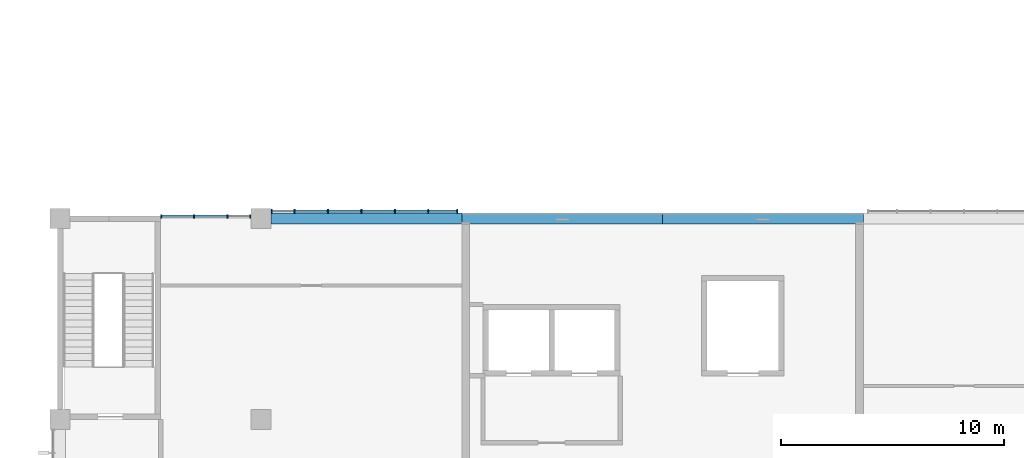
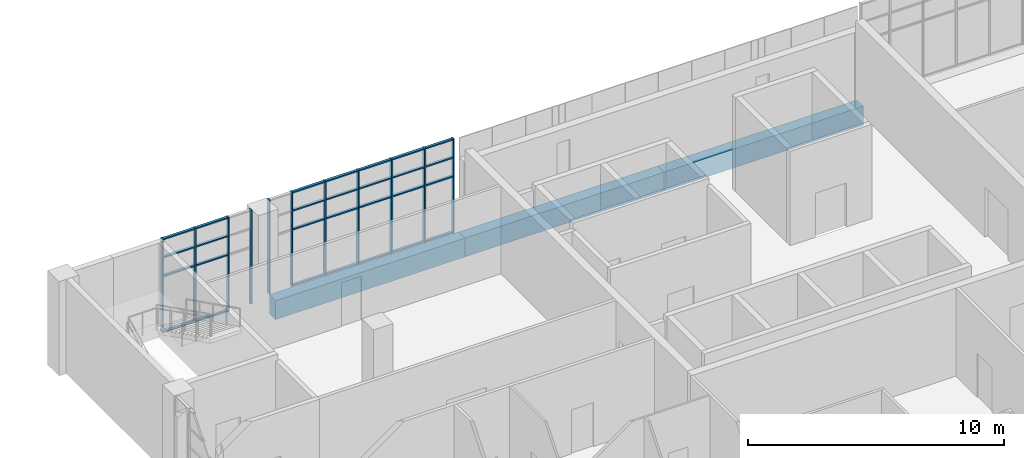
# One storey, part 12 of 45: 39 members, 3 beams, 2 elements without a shape of their own.
"""IFC4 building model written with IfcOpenShell, lengths in metres."""

import ifcopenshell
import ifcopenshell.guid

model = None  # the IFC model being written
_history = None  # IfcOwnerHistory: only IFC2X3 demands one
_inside = {}  # id of a spatial element -> (the spatial element, [elements in it])
_under = {}  # id of a project, library or spatial element -> (it, [spatial elements below it])
_declared = {}  # id of a project -> (the project, [libraries it declares])
_typed = {}  # id of a type object -> (the type object, [elements of that type])
_made_of = {}  # id of a material, layer set ... -> (it, [elements and type objects made of it])


def new_model(schema):
    """Start an empty IFC model of exactly this schema.

    Asked for "IFC4X3", IfcOpenShell would pick the latest addendum, in which some entities
    have other attributes; the version numbers below select the first issue.
    IFC2X3 requires an IfcOwnerHistory on every rooted entity: one is made here for all.
    """
    global model, _history
    if schema == "IFC4X3":
        model = ifcopenshell.file(schema_version=(4, 3, 0, 0))
    else:
        model = ifcopenshell.file(schema=schema)
    _inside.clear()
    _under.clear()
    _declared.clear()
    _typed.clear()
    _made_of.clear()
    _history = None
    if model.schema == "IFC2X3":
        org = make("IfcOrganization", Name="unknown")
        user = make(
            "IfcPersonAndOrganization",
            ThePerson=make("IfcPerson", FamilyName="unknown"),
            TheOrganization=org,
        )
        app = make(
            "IfcApplication",
            ApplicationDeveloper=org,
            Version="unknown",
            ApplicationFullName="unknown",
            ApplicationIdentifier="unknown",
        )
        _history = make(
            "IfcOwnerHistory",
            OwningUser=user,
            OwningApplication=app,
            ChangeAction="ADDED",
            CreationDate=0,
        )
    return model


def make(cls, **values):
    """One entity of the class cls with the attributes given. An attribute that is None is left unset."""
    return model.create_entity(
        cls, **{name: value for name, value in values.items() if value is not None}
    )


def rooted(cls, **values):
    """An entity with a GlobalId (a new one), such as an element, a storey or a relation."""
    return make(cls, GlobalId=ifcopenshell.guid.new(), OwnerHistory=_history, **values)


def si_unit(unit_type, name, prefix=None):
    """IfcSIUnit, for example si_unit("LENGTHUNIT", "METRE", prefix="MILLI")."""
    return make("IfcSIUnit", UnitType=unit_type, Prefix=prefix, Name=name)


def assignment(units):
    """IfcUnitAssignment: the units of a project."""
    return None if units is None else make("IfcUnitAssignment", Units=units)


def point(xyz):
    """IfcCartesianPoint."""
    return None if xyz is None else make("IfcCartesianPoint", Coordinates=xyz)


def direction(xyz):
    """IfcDirection."""
    return None if xyz is None else make("IfcDirection", DirectionRatios=xyz)


def frame(location, z_axis=None, x_axis=None):
    """IfcAxis2Placement3D, a coordinate frame: its origin and axes. An axis left out is left unset."""
    return make(
        "IfcAxis2Placement3D",
        Location=point(location),
        Axis=direction(z_axis),
        RefDirection=direction(x_axis),
    )


def frame_2d(location, x_axis=None):
    """IfcAxis2Placement2D, a coordinate frame in the plane: its origin and x axis."""
    return make(
        "IfcAxis2Placement2D", Location=point(location), RefDirection=direction(x_axis)
    )


def origin():
    """The frame at (0, 0, 0) with its axes left unset."""
    return frame((0.0, 0.0, 0.0))


def origin_2d():
    """The frame at (0, 0) in the plane with its x axis left unset."""
    return frame_2d((0.0, 0.0))


def place(relative_to, where):
    """IfcLocalPlacement: puts the frame where relative to a parent placement (None: the world)."""
    return make(
        "IfcLocalPlacement", PlacementRelTo=relative_to, RelativePlacement=where
    )


def context(
    kind, dimensions, precision=None, world=None, true_north=None, identifier=None
):
    """IfcGeometricRepresentationContext, for example the 3D "Model" context."""
    return make(
        "IfcGeometricRepresentationContext",
        ContextIdentifier=identifier,
        ContextType=kind,
        CoordinateSpaceDimension=dimensions,
        Precision=precision,
        WorldCoordinateSystem=world,
        TrueNorth=true_north,
    )


def subcontext(parent, identifier, kind, view, scale=None):
    """IfcGeometricRepresentationSubContext, for example "Body" below "Model"."""
    return make(
        "IfcGeometricRepresentationSubContext",
        ContextIdentifier=identifier,
        ContextType=kind,
        ParentContext=parent,
        TargetScale=scale,
        TargetView=view,
    )


def project(units=None, contexts=None):
    """IfcProject with its units and contexts."""
    return rooted(
        "IfcProject",
        Name="project",
        RepresentationContexts=contexts,
        UnitsInContext=assignment(units),
    )


def spatial(cls, under=None, at=None, **own):
    """A site, building, storey or space (cls), placed at a placement, below another one or the project."""
    s = rooted(cls, ObjectPlacement=at, **own)
    if under is not None:
        _under.setdefault(under.id(), (under, []))[1].append(s)
    return s


def profile(cls, at=None, kind="AREA", **sizes):
    """A parametric profile (cls). Its sizes go by their IFC names, for example OverallWidth=200.0."""
    return make(cls, ProfileType=kind, Position=at, **sizes)


def rectangle(**sizes):
    """IfcRectangleProfileDef."""
    return profile("IfcRectangleProfileDef", **sizes)


def extrude(swept, where, along, depth):
    """IfcExtrudedAreaSolid: the profile swept, set in the frame where, extruded along a direction by depth."""
    return make(
        "IfcExtrudedAreaSolid",
        SweptArea=swept,
        Position=where,
        ExtrudedDirection=direction(along),
        Depth=depth,
    )


def shape(context_of_items, identifier, shape_type, items):
    """IfcShapeRepresentation: the items that make up one representation, for example the "Body"."""
    return make(
        "IfcShapeRepresentation",
        ContextOfItems=context_of_items,
        RepresentationIdentifier=identifier,
        RepresentationType=shape_type,
        Items=items,
    )


def material(Name=None, Category=None):
    """IfcMaterial."""
    return make("IfcMaterial", Name=Name, Category=Category)


def layer(
    of_material, thickness, ventilated=None, Name=None, Category=None, Priority=None
):
    """IfcMaterialLayer: one layer of a wall or slab, of a material (None: an air gap)."""
    return make(
        "IfcMaterialLayer",
        Material=of_material,
        LayerThickness=thickness,
        IsVentilated=ventilated,
        Name=Name,
        Category=Category,
        Priority=Priority,
    )


def layer_set(layers, Name=None):
    """IfcMaterialLayerSet."""
    return make("IfcMaterialLayerSet", MaterialLayers=layers, LayerSetName=Name)


def material_profile(
    of_material, cross_section, Name=None, Category=None, Priority=None
):
    """IfcMaterialProfile: a cross section and its material."""
    return make(
        "IfcMaterialProfile",
        Name=Name,
        Material=of_material,
        Profile=cross_section,
        Priority=Priority,
        Category=Category,
    )


def profile_set(profiles, Name=None, composite=None):
    """IfcMaterialProfileSet."""
    return make(
        "IfcMaterialProfileSet",
        Name=Name,
        MaterialProfiles=profiles,
        CompositeProfile=composite,
    )


def made_of(thing, what):
    """Note that an element or type object is made of a material, layer set ...; save() writes the relation."""
    if what is not None:
        _made_of.setdefault(what.id(), (what, []))[1].append(thing)
    return thing


def type_object(cls, material=None, **own):
    """A type object (cls), such as IfcWallType, which elements share."""
    return made_of(rooted(cls, **own), material)


def element(
    cls,
    number,
    at=None,
    inside=None,
    cuts=None,
    type_object=None,
    material=None,
    context=None,
    identifier="Body",
    shape_type=None,
    held_by="IfcProductDefinitionShape",
    body=None,
    shapes=None,
    **own,
):
    """One element of the class cls, such as IfcWall. Its Tag is "e" and its number.

    at: its placement. inside: the storey or other place that contains it. cuts: it is an
    opening in that element (IfcRelVoidsElement). A single representation is given by context,
    identifier, shape_type and body (its items); several are given by shapes. held_by: the class
    of the entity that holds the representations. save() writes the other relations.
    """
    e = rooted(cls, Tag="e%d" % number, ObjectPlacement=at, **own)
    if body is not None:
        shapes = [shape(context, identifier, shape_type, body)]
    if shapes is not None:
        e.Representation = make(held_by, Representations=shapes)
    if inside is not None:
        _inside.setdefault(inside.id(), (inside, []))[1].append(e)
    if cuts is not None:
        rooted(
            "IfcRelVoidsElement", RelatingBuildingElement=cuts, RelatedOpeningElement=e
        )
    if type_object is not None:
        _typed.setdefault(type_object.id(), (type_object, []))[1].append(e)
    return made_of(e, material)


def aggregate(whole, parts):
    """IfcRelAggregates: a whole, such as a stair, and the parts it consists of."""
    return rooted("IfcRelAggregates", RelatingObject=whole, RelatedObjects=parts)


def save(model, path):
    """Write the relations noted so far, then the file.

    IfcRelAggregates (storeys below a building ...), IfcRelContainedInSpatialStructure (elements
    in a storey), IfcRelDefinesByType, IfcRelAssociatesMaterial and IfcRelDeclares: one each for
    every whole, place, type object, material and project.
    """
    for whole, parts in _under.values():
        aggregate(whole, parts)
    for where, things in _inside.values():
        rooted(
            "IfcRelContainedInSpatialStructure",
            RelatedElements=things,
            RelatingStructure=where,
        )
    for kind, things in _typed.values():
        rooted("IfcRelDefinesByType", RelatedObjects=things, RelatingType=kind)
    for what, things in _made_of.values():
        rooted("IfcRelAssociatesMaterial", RelatedObjects=things, RelatingMaterial=what)
    for by, libraries in _declared.values():
        rooted("IfcRelDeclares", RelatingContext=by, RelatedDefinitions=libraries)
    model.write(path)


model = new_model("IFC4")

# Units and contexts
model_context = context("Model", 3, precision=1e-05, world=origin(), true_north=direction((0.0, 1.0)))
body_context = subcontext(model_context, "Body", "Model", "MODEL_VIEW")
ifc_project = project(units=[si_unit("LENGTHUNIT", "METRE"), si_unit("AREAUNIT", "SQUARE_METRE"), si_unit("VOLUMEUNIT", "CUBIC_METRE"), si_unit("PLANEANGLEUNIT", "RADIAN"), si_unit("MASSUNIT", "GRAM", prefix="KILO")], contexts=[model_context])

# Site, building, storey
site_placement = place(None, origin())
site = spatial("IfcSite", under=ifc_project, at=site_placement, CompositionType="ELEMENT")
building_placement = place(site_placement, origin())
building = spatial("IfcBuilding", under=site, at=building_placement, Name="Guidao Yard Department Store", CompositionType="ELEMENT")
storey_placement = place(building_placement, frame((0.0, 0.0, 19.5)))
storey = spatial("IfcBuildingStorey", under=building, at=storey_placement, Name="L04", CompositionType="ELEMENT", Elevation=19.5)

# Curtain wall, members
ifc_material_1 = material(Name="Aluminium and glass", Category="aluminium")
ifc_layer = layer(ifc_material_1, 0.159912109375)
ifc_layer_set = layer_set([ifc_layer], Name="Unitised curtain wall CW4 1500 module")
curtain_wall_type = type_object("IfcCurtainWallType", Name="Unitised curtain wall CW4 1500 module", PredefinedType="NOTDEFINED", material=ifc_layer_set)
curtain_wall_1_placement = place(storey_placement, origin())
curtain_wall_1 = element("IfcCurtainWall", 1, at=curtain_wall_1_placement, inside=storey, type_object=curtain_wall_type, Name="Unitised curtain wall", PredefinedType="NOTDEFINED")
ifc_material_2 = material(Name="Aluminium 6063-T5", Category="aluminium")
ifc_material_profile_1 = material_profile(ifc_material_2, rectangle(XDim=0.06005859375, YDim=0.159912109375, at=origin_2d()), Name="Mullion M1 60 x 160 aluminium pressure plate")
ifc_profile_set_1 = profile_set([ifc_material_profile_1], Name="Aluminium 6063-T5")
member_type_1 = type_object("IfcMemberType", Name="Mullion M1 60 x 160 aluminium pressure plate", PredefinedType="MULLION", material=ifc_profile_set_1)
member_1_placement = place(storey_placement, frame((130.530029296875, 27.10009765625, 0.0), z_axis=(0.0, 0.0, 1.0), x_axis=(1.0, 0.0, 0.0)))
member_1 = element("IfcMember", 2, at=member_1_placement, type_object=member_type_1, Name="CW-OW-L04-06 mullion 1", PredefinedType="MULLION", context=body_context, shape_type="SweptSolid", body=[
    extrude(rectangle(XDim=0.06005859375, YDim=0.159912109375, at=origin_2d()), origin(), (0.0, 0.0, 1.0), 4.5),
])
member_2_placement = place(storey_placement, frame((132.0, 27.10009765625, 0.0), z_axis=(0.0, 0.0, 1.0), x_axis=(1.0, 0.0, 0.0)))
member_2 = element("IfcMember", 3, at=member_2_placement, type_object=member_type_1, Name="CW-OW-L04-06 mullion 2", PredefinedType="MULLION", context=body_context, shape_type="SweptSolid", body=[
    extrude(rectangle(XDim=0.06005859375, YDim=0.159912109375, at=origin_2d()), origin(), (0.0, 0.0, 1.0), 4.5),
])
member_3_placement = place(storey_placement, frame((133.5, 27.10009765625, 0.0), z_axis=(0.0, 0.0, 1.0), x_axis=(1.0, 0.0, 0.0)))
member_3 = element("IfcMember", 4, at=member_3_placement, type_object=member_type_1, Name="CW-OW-L04-06 mullion 3", PredefinedType="MULLION", context=body_context, shape_type="SweptSolid", body=[
    extrude(rectangle(XDim=0.06005859375, YDim=0.159912109375, at=origin_2d()), origin(), (0.0, 0.0, 1.0), 4.5),
])
member_4_placement = place(storey_placement, frame((134.52001953125, 27.10009765625, 0.0), z_axis=(0.0, 0.0, 1.0), x_axis=(1.0, 0.0, 0.0)))
member_4 = element("IfcMember", 5, at=member_4_placement, type_object=member_type_1, Name="CW-OW-L04-06 mullion 4", PredefinedType="MULLION", context=body_context, shape_type="SweptSolid", body=[
    extrude(rectangle(XDim=0.06005859375, YDim=0.159912109375, at=origin_2d()), origin(), (0.0, 0.0, 1.0), 4.5),
])

curtain_wall_2_placement = place(storey_placement, origin())
curtain_wall_2 = element("IfcCurtainWall", 6, at=curtain_wall_2_placement, inside=storey, type_object=curtain_wall_type, Name="Unitised curtain wall", PredefinedType="NOTDEFINED")
member_5_placement = place(storey_placement, frame((135.47998046875, 27.330078125, 0.0), z_axis=(0.0, 0.0, 1.0), x_axis=(1.0, 0.0, 0.0)))
member_5 = element("IfcMember", 7, at=member_5_placement, type_object=member_type_1, Name="CW-OW-L04-07 mullion 1", PredefinedType="MULLION", context=body_context, shape_type="SweptSolid", body=[
    extrude(rectangle(XDim=0.06005859375, YDim=0.159912109375, at=origin_2d()), origin(), (0.0, 0.0, 1.0), 4.5),
])
member_6_placement = place(storey_placement, frame((136.5, 27.330078125, 0.0), z_axis=(0.0, 0.0, 1.0), x_axis=(1.0, 0.0, 0.0)))
member_6 = element("IfcMember", 8, at=member_6_placement, type_object=member_type_1, Name="CW-OW-L04-07 mullion 2", PredefinedType="MULLION", context=body_context, shape_type="SweptSolid", body=[
    extrude(rectangle(XDim=0.06005859375, YDim=0.159912109375, at=origin_2d()), origin(), (0.0, 0.0, 1.0), 4.5),
])
member_7_placement = place(storey_placement, frame((138.0, 27.330078125, 0.0), z_axis=(0.0, 0.0, 1.0), x_axis=(1.0, 0.0, 0.0)))
member_7 = element("IfcMember", 9, at=member_7_placement, type_object=member_type_1, Name="CW-OW-L04-07 mullion 3", PredefinedType="MULLION", context=body_context, shape_type="SweptSolid", body=[
    extrude(rectangle(XDim=0.06005859375, YDim=0.159912109375, at=origin_2d()), origin(), (0.0, 0.0, 1.0), 4.5),
])
member_8_placement = place(storey_placement, frame((139.5, 27.330078125, 0.0), z_axis=(0.0, 0.0, 1.0), x_axis=(1.0, 0.0, 0.0)))
member_8 = element("IfcMember", 10, at=member_8_placement, type_object=member_type_1, Name="CW-OW-L04-07 mullion 4", PredefinedType="MULLION", context=body_context, shape_type="SweptSolid", body=[
    extrude(rectangle(XDim=0.06005859375, YDim=0.159912109375, at=origin_2d()), origin(), (0.0, 0.0, 1.0), 4.5),
])
member_9_placement = place(storey_placement, frame((141.0, 27.330078125, 0.0), z_axis=(0.0, 0.0, 1.0), x_axis=(1.0, 0.0, 0.0)))
member_9 = element("IfcMember", 11, at=member_9_placement, type_object=member_type_1, Name="CW-OW-L04-07 mullion 5", PredefinedType="MULLION", context=body_context, shape_type="SweptSolid", body=[
    extrude(rectangle(XDim=0.06005859375, YDim=0.159912109375, at=origin_2d()), origin(), (0.0, 0.0, 1.0), 4.5),
])
member_10_placement = place(storey_placement, frame((142.5, 27.330078125, 0.0), z_axis=(0.0, 0.0, 1.0), x_axis=(1.0, 0.0, 0.0)))
member_10 = element("IfcMember", 12, at=member_10_placement, type_object=member_type_1, Name="CW-OW-L04-07 mullion 6", PredefinedType="MULLION", context=body_context, shape_type="SweptSolid", body=[
    extrude(rectangle(XDim=0.06005859375, YDim=0.159912109375, at=origin_2d()), origin(), (0.0, 0.0, 1.0), 4.5),
])
member_11_placement = place(storey_placement, frame((143.794921875, 27.330078125, 0.0), z_axis=(0.0, 0.0, 1.0), x_axis=(1.0, 0.0, 0.0)))
member_11 = element("IfcMember", 13, at=member_11_placement, type_object=member_type_1, Name="CW-OW-L04-07 mullion 7", PredefinedType="MULLION", context=body_context, shape_type="SweptSolid", body=[
    extrude(rectangle(XDim=0.06005859375, YDim=0.159912109375, at=origin_2d()), origin(), (0.0, 0.0, 1.0), 4.5),
])

# Beams
ifc_material_3 = material(Name="Concrete C40", Category="concrete")
ifc_material_profile_2 = material_profile(ifc_material_3, rectangle(XDim=0.5, YDim=0.89990234375, at=origin_2d()), Name="Spandrel beam 500 x 900 C40")
ifc_profile_set_2 = profile_set([ifc_material_profile_2], Name="Concrete C40")
beam_type = type_object("IfcBeamType", Name="Spandrel beam 500 x 900 C40", PredefinedType="SPANDREL", material=ifc_profile_set_2)
beam_placement = place(storey_placement, frame((135.449951171875, 27.0, -0.449951171875), z_axis=(1.0, 0.0, 0.0), x_axis=(0.0, 1.0, 0.0)))
element("IfcBeam", 14, at=beam_placement, inside=storey, type_object=beam_type, Name="Beam FB05", PredefinedType="SPANDREL", context=body_context, shape_type="SweptSolid", body=[
    extrude(rectangle(XDim=0.5, YDim=0.89990234375, at=origin_2d()), origin(), (0.0, 0.0, 1.0), 8.550048828125),
])
for number, where, z_axis, x_axis, name in (
    (15, (144.0, 27.0, -0.449951171875), (1.0, 0.0, 0.0), (0.0, 1.0, 0.0), "Beam FB06"),
    (16, (153.0, 27.0, -0.449951171875), (1.0, 0.0, 0.0), (0.0, 1.0, 0.0), "Beam FB07"),
):
    element("IfcBeam", number, at=place(storey_placement, frame(where, z_axis=z_axis, x_axis=x_axis)), inside=storey, type_object=beam_type, Name=name, PredefinedType="SPANDREL", context=body_context, shape_type="SweptSolid", body=[
        extrude(rectangle(XDim=0.5, YDim=0.89990234375, at=origin_2d()), origin(), (0.0, 0.0, 1.0), 9.0),
    ])

# Member
ifc_material_4 = material(Name="Aluminium 6063-T5", Category="aluminium")
ifc_material_profile_3 = material_profile(ifc_material_4, rectangle(XDim=0.1201171875, YDim=0.06005859375, at=origin_2d()), Name="Transom T1 60 x 120 aluminium pressure plate")
ifc_profile_set_3 = profile_set([ifc_material_profile_3], Name="Aluminium 6063-T5")
member_type_2 = type_object("IfcMemberType", Name="Transom T1 60 x 120 aluminium pressure plate", PredefinedType="USERDEFINED", material=ifc_profile_set_3)
member_12_placement = place(storey_placement, frame((130.56005859375, 27.10009765625, 0.030029296875), z_axis=(1.0, 0.0, 0.0), x_axis=(0.0, 1.0, 0.0)))
member_12 = element("IfcMember", 17, at=member_12_placement, type_object=member_type_2, Name="CW-OW-L04-06 transom 1.1", ObjectType="TRANSOM", PredefinedType="USERDEFINED", context=body_context, shape_type="SweptSolid", body=[
    extrude(rectangle(XDim=0.1201171875, YDim=0.06005859375, at=origin_2d()), origin(), (0.0, 0.0, 1.0), 1.409912109375),
])

member_13_placement = place(storey_placement, frame((130.56005859375, 27.10009765625, 2.699951171875), z_axis=(1.0, 0.0, 0.0), x_axis=(0.0, 1.0, 0.0)))
member_13 = element("IfcMember", 18, at=member_13_placement, type_object=member_type_2, Name="CW-OW-L04-06 transom 1.2", ObjectType="TRANSOM", PredefinedType="USERDEFINED", context=body_context, shape_type="SweptSolid", body=[
    extrude(rectangle(XDim=0.1201171875, YDim=0.06005859375, at=origin_2d()), origin(), (0.0, 0.0, 1.0), 1.409912109375),
])

member_14_placement = place(storey_placement, frame((130.56005859375, 27.10009765625, 3.60009765625), z_axis=(1.0, 0.0, 0.0), x_axis=(0.0, 1.0, 0.0)))
member_14 = element("IfcMember", 19, at=member_14_placement, type_object=member_type_2, Name="CW-OW-L04-06 transom 1.3", ObjectType="TRANSOM", PredefinedType="USERDEFINED", context=body_context, shape_type="SweptSolid", body=[
    extrude(rectangle(XDim=0.1201171875, YDim=0.06005859375, at=origin_2d()), origin(), (0.0, 0.0, 1.0), 1.409912109375),
])

member_15_placement = place(storey_placement, frame((130.56005859375, 27.10009765625, 4.469970703125), z_axis=(1.0, 0.0, 0.0), x_axis=(0.0, 1.0, 0.0)))
member_15 = element("IfcMember", 20, at=member_15_placement, type_object=member_type_2, Name="CW-OW-L04-06 transom 1.4", ObjectType="TRANSOM", PredefinedType="USERDEFINED", context=body_context, shape_type="SweptSolid", body=[
    extrude(rectangle(XDim=0.1201171875, YDim=0.06005859375, at=origin_2d()), origin(), (0.0, 0.0, 1.0), 1.409912109375),
])

member_16_placement = place(storey_placement, frame((132.030029296875, 27.10009765625, 0.030029296875), z_axis=(1.0, 0.0, 0.0), x_axis=(0.0, 1.0, 0.0)))
member_16 = element("IfcMember", 21, at=member_16_placement, type_object=member_type_2, Name="CW-OW-L04-06 transom 2.1", ObjectType="TRANSOM", PredefinedType="USERDEFINED", context=body_context, shape_type="SweptSolid", body=[
    extrude(rectangle(XDim=0.1201171875, YDim=0.06005859375, at=origin_2d()), origin(), (0.0, 0.0, 1.0), 1.43994140625),
])

member_17_placement = place(storey_placement, frame((132.030029296875, 27.10009765625, 2.699951171875), z_axis=(1.0, 0.0, 0.0), x_axis=(0.0, 1.0, 0.0)))
member_17 = element("IfcMember", 22, at=member_17_placement, type_object=member_type_2, Name="CW-OW-L04-06 transom 2.2", ObjectType="TRANSOM", PredefinedType="USERDEFINED", context=body_context, shape_type="SweptSolid", body=[
    extrude(rectangle(XDim=0.1201171875, YDim=0.06005859375, at=origin_2d()), origin(), (0.0, 0.0, 1.0), 1.43994140625),
])

member_18_placement = place(storey_placement, frame((132.030029296875, 27.10009765625, 3.60009765625), z_axis=(1.0, 0.0, 0.0), x_axis=(0.0, 1.0, 0.0)))
member_18 = element("IfcMember", 23, at=member_18_placement, type_object=member_type_2, Name="CW-OW-L04-06 transom 2.3", ObjectType="TRANSOM", PredefinedType="USERDEFINED", context=body_context, shape_type="SweptSolid", body=[
    extrude(rectangle(XDim=0.1201171875, YDim=0.06005859375, at=origin_2d()), origin(), (0.0, 0.0, 1.0), 1.43994140625),
])

member_19_placement = place(storey_placement, frame((132.030029296875, 27.10009765625, 4.469970703125), z_axis=(1.0, 0.0, 0.0), x_axis=(0.0, 1.0, 0.0)))
member_19 = element("IfcMember", 24, at=member_19_placement, type_object=member_type_2, Name="CW-OW-L04-06 transom 2.4", ObjectType="TRANSOM", PredefinedType="USERDEFINED", context=body_context, shape_type="SweptSolid", body=[
    extrude(rectangle(XDim=0.1201171875, YDim=0.06005859375, at=origin_2d()), origin(), (0.0, 0.0, 1.0), 1.43994140625),
])

aggregate(curtain_wall_1, [member_1, member_2, member_3, member_4, member_12, member_13, member_14, member_15, member_16, member_17, member_18, member_19])

member_20_placement = place(storey_placement, frame((136.530029296875, 27.330078125, 0.030029296875), z_axis=(1.0, 0.0, 0.0), x_axis=(0.0, 1.0, 0.0)))
member_20 = element("IfcMember", 25, at=member_20_placement, type_object=member_type_2, Name="CW-OW-L04-07 transom 2.1", ObjectType="TRANSOM", PredefinedType="USERDEFINED", context=body_context, shape_type="SweptSolid", body=[
    extrude(rectangle(XDim=0.1201171875, YDim=0.06005859375, at=origin_2d()), origin(), (0.0, 0.0, 1.0), 1.43994140625),
])

member_21_placement = place(storey_placement, frame((136.530029296875, 27.330078125, 2.699951171875), z_axis=(1.0, 0.0, 0.0), x_axis=(0.0, 1.0, 0.0)))
member_21 = element("IfcMember", 26, at=member_21_placement, type_object=member_type_2, Name="CW-OW-L04-07 transom 2.2", ObjectType="TRANSOM", PredefinedType="USERDEFINED", context=body_context, shape_type="SweptSolid", body=[
    extrude(rectangle(XDim=0.1201171875, YDim=0.06005859375, at=origin_2d()), origin(), (0.0, 0.0, 1.0), 1.43994140625),
])

member_22_placement = place(storey_placement, frame((136.530029296875, 27.330078125, 3.60009765625), z_axis=(1.0, 0.0, 0.0), x_axis=(0.0, 1.0, 0.0)))
member_22 = element("IfcMember", 27, at=member_22_placement, type_object=member_type_2, Name="CW-OW-L04-07 transom 2.3", ObjectType="TRANSOM", PredefinedType="USERDEFINED", context=body_context, shape_type="SweptSolid", body=[
    extrude(rectangle(XDim=0.1201171875, YDim=0.06005859375, at=origin_2d()), origin(), (0.0, 0.0, 1.0), 1.43994140625),
])

member_23_placement = place(storey_placement, frame((136.530029296875, 27.330078125, 4.469970703125), z_axis=(1.0, 0.0, 0.0), x_axis=(0.0, 1.0, 0.0)))
member_23 = element("IfcMember", 28, at=member_23_placement, type_object=member_type_2, Name="CW-OW-L04-07 transom 2.4", ObjectType="TRANSOM", PredefinedType="USERDEFINED", context=body_context, shape_type="SweptSolid", body=[
    extrude(rectangle(XDim=0.1201171875, YDim=0.06005859375, at=origin_2d()), origin(), (0.0, 0.0, 1.0), 1.43994140625),
])

member_24_placement = place(storey_placement, frame((138.030029296875, 27.330078125, 0.030029296875), z_axis=(1.0, 0.0, 0.0), x_axis=(0.0, 1.0, 0.0)))
member_24 = element("IfcMember", 29, at=member_24_placement, type_object=member_type_2, Name="CW-OW-L04-07 transom 3.1", ObjectType="TRANSOM", PredefinedType="USERDEFINED", context=body_context, shape_type="SweptSolid", body=[
    extrude(rectangle(XDim=0.1201171875, YDim=0.06005859375, at=origin_2d()), origin(), (0.0, 0.0, 1.0), 1.43994140625),
])

member_25_placement = place(storey_placement, frame((138.030029296875, 27.330078125, 2.699951171875), z_axis=(1.0, 0.0, 0.0), x_axis=(0.0, 1.0, 0.0)))
member_25 = element("IfcMember", 30, at=member_25_placement, type_object=member_type_2, Name="CW-OW-L04-07 transom 3.2", ObjectType="TRANSOM", PredefinedType="USERDEFINED", context=body_context, shape_type="SweptSolid", body=[
    extrude(rectangle(XDim=0.1201171875, YDim=0.06005859375, at=origin_2d()), origin(), (0.0, 0.0, 1.0), 1.43994140625),
])

member_26_placement = place(storey_placement, frame((138.030029296875, 27.330078125, 3.60009765625), z_axis=(1.0, 0.0, 0.0), x_axis=(0.0, 1.0, 0.0)))
member_26 = element("IfcMember", 31, at=member_26_placement, type_object=member_type_2, Name="CW-OW-L04-07 transom 3.3", ObjectType="TRANSOM", PredefinedType="USERDEFINED", context=body_context, shape_type="SweptSolid", body=[
    extrude(rectangle(XDim=0.1201171875, YDim=0.06005859375, at=origin_2d()), origin(), (0.0, 0.0, 1.0), 1.43994140625),
])

member_27_placement = place(storey_placement, frame((138.030029296875, 27.330078125, 4.469970703125), z_axis=(1.0, 0.0, 0.0), x_axis=(0.0, 1.0, 0.0)))
member_27 = element("IfcMember", 32, at=member_27_placement, type_object=member_type_2, Name="CW-OW-L04-07 transom 3.4", ObjectType="TRANSOM", PredefinedType="USERDEFINED", context=body_context, shape_type="SweptSolid", body=[
    extrude(rectangle(XDim=0.1201171875, YDim=0.06005859375, at=origin_2d()), origin(), (0.0, 0.0, 1.0), 1.43994140625),
])

member_28_placement = place(storey_placement, frame((139.530029296875, 27.330078125, 0.030029296875), z_axis=(1.0, 0.0, 0.0), x_axis=(0.0, 1.0, 0.0)))
member_28 = element("IfcMember", 33, at=member_28_placement, type_object=member_type_2, Name="CW-OW-L04-07 transom 4.1", ObjectType="TRANSOM", PredefinedType="USERDEFINED", context=body_context, shape_type="SweptSolid", body=[
    extrude(rectangle(XDim=0.1201171875, YDim=0.06005859375, at=origin_2d()), origin(), (0.0, 0.0, 1.0), 1.43994140625),
])

member_29_placement = place(storey_placement, frame((139.530029296875, 27.330078125, 2.699951171875), z_axis=(1.0, 0.0, 0.0), x_axis=(0.0, 1.0, 0.0)))
member_29 = element("IfcMember", 34, at=member_29_placement, type_object=member_type_2, Name="CW-OW-L04-07 transom 4.2", ObjectType="TRANSOM", PredefinedType="USERDEFINED", context=body_context, shape_type="SweptSolid", body=[
    extrude(rectangle(XDim=0.1201171875, YDim=0.06005859375, at=origin_2d()), origin(), (0.0, 0.0, 1.0), 1.43994140625),
])

member_30_placement = place(storey_placement, frame((139.530029296875, 27.330078125, 3.60009765625), z_axis=(1.0, 0.0, 0.0), x_axis=(0.0, 1.0, 0.0)))
member_30 = element("IfcMember", 35, at=member_30_placement, type_object=member_type_2, Name="CW-OW-L04-07 transom 4.3", ObjectType="TRANSOM", PredefinedType="USERDEFINED", context=body_context, shape_type="SweptSolid", body=[
    extrude(rectangle(XDim=0.1201171875, YDim=0.06005859375, at=origin_2d()), origin(), (0.0, 0.0, 1.0), 1.43994140625),
])

member_31_placement = place(storey_placement, frame((139.530029296875, 27.330078125, 4.469970703125), z_axis=(1.0, 0.0, 0.0), x_axis=(0.0, 1.0, 0.0)))
member_31 = element("IfcMember", 36, at=member_31_placement, type_object=member_type_2, Name="CW-OW-L04-07 transom 4.4", ObjectType="TRANSOM", PredefinedType="USERDEFINED", context=body_context, shape_type="SweptSolid", body=[
    extrude(rectangle(XDim=0.1201171875, YDim=0.06005859375, at=origin_2d()), origin(), (0.0, 0.0, 1.0), 1.43994140625),
])

member_32_placement = place(storey_placement, frame((141.030029296875, 27.330078125, 0.030029296875), z_axis=(1.0, 0.0, 0.0), x_axis=(0.0, 1.0, 0.0)))
member_32 = element("IfcMember", 37, at=member_32_placement, type_object=member_type_2, Name="CW-OW-L04-07 transom 5.1", ObjectType="TRANSOM", PredefinedType="USERDEFINED", context=body_context, shape_type="SweptSolid", body=[
    extrude(rectangle(XDim=0.1201171875, YDim=0.06005859375, at=origin_2d()), origin(), (0.0, 0.0, 1.0), 1.43994140625),
])

member_33_placement = place(storey_placement, frame((141.030029296875, 27.330078125, 2.699951171875), z_axis=(1.0, 0.0, 0.0), x_axis=(0.0, 1.0, 0.0)))
member_33 = element("IfcMember", 38, at=member_33_placement, type_object=member_type_2, Name="CW-OW-L04-07 transom 5.2", ObjectType="TRANSOM", PredefinedType="USERDEFINED", context=body_context, shape_type="SweptSolid", body=[
    extrude(rectangle(XDim=0.1201171875, YDim=0.06005859375, at=origin_2d()), origin(), (0.0, 0.0, 1.0), 1.43994140625),
])

member_34_placement = place(storey_placement, frame((141.030029296875, 27.330078125, 3.60009765625), z_axis=(1.0, 0.0, 0.0), x_axis=(0.0, 1.0, 0.0)))
member_34 = element("IfcMember", 39, at=member_34_placement, type_object=member_type_2, Name="CW-OW-L04-07 transom 5.3", ObjectType="TRANSOM", PredefinedType="USERDEFINED", context=body_context, shape_type="SweptSolid", body=[
    extrude(rectangle(XDim=0.1201171875, YDim=0.06005859375, at=origin_2d()), origin(), (0.0, 0.0, 1.0), 1.43994140625),
])

member_35_placement = place(storey_placement, frame((141.030029296875, 27.330078125, 4.469970703125), z_axis=(1.0, 0.0, 0.0), x_axis=(0.0, 1.0, 0.0)))
member_35 = element("IfcMember", 40, at=member_35_placement, type_object=member_type_2, Name="CW-OW-L04-07 transom 5.4", ObjectType="TRANSOM", PredefinedType="USERDEFINED", context=body_context, shape_type="SweptSolid", body=[
    extrude(rectangle(XDim=0.1201171875, YDim=0.06005859375, at=origin_2d()), origin(), (0.0, 0.0, 1.0), 1.43994140625),
])

member_36_placement = place(storey_placement, frame((142.530029296875, 27.330078125, 0.030029296875), z_axis=(1.0, 0.0, 0.0), x_axis=(0.0, 1.0, 0.0)))
member_36 = element("IfcMember", 41, at=member_36_placement, type_object=member_type_2, Name="CW-OW-L04-07 transom 6.1", ObjectType="TRANSOM", PredefinedType="USERDEFINED", context=body_context, shape_type="SweptSolid", body=[
    extrude(rectangle(XDim=0.1201171875, YDim=0.06005859375, at=origin_2d()), origin(), (0.0, 0.0, 1.0), 1.23486328125),
])

member_37_placement = place(storey_placement, frame((142.530029296875, 27.330078125, 2.699951171875), z_axis=(1.0, 0.0, 0.0), x_axis=(0.0, 1.0, 0.0)))
member_37 = element("IfcMember", 42, at=member_37_placement, type_object=member_type_2, Name="CW-OW-L04-07 transom 6.2", ObjectType="TRANSOM", PredefinedType="USERDEFINED", context=body_context, shape_type="SweptSolid", body=[
    extrude(rectangle(XDim=0.1201171875, YDim=0.06005859375, at=origin_2d()), origin(), (0.0, 0.0, 1.0), 1.23486328125),
])

member_38_placement = place(storey_placement, frame((142.530029296875, 27.330078125, 3.60009765625), z_axis=(1.0, 0.0, 0.0), x_axis=(0.0, 1.0, 0.0)))
member_38 = element("IfcMember", 43, at=member_38_placement, type_object=member_type_2, Name="CW-OW-L04-07 transom 6.3", ObjectType="TRANSOM", PredefinedType="USERDEFINED", context=body_context, shape_type="SweptSolid", body=[
    extrude(rectangle(XDim=0.1201171875, YDim=0.06005859375, at=origin_2d()), origin(), (0.0, 0.0, 1.0), 1.23486328125),
])

member_39_placement = place(storey_placement, frame((142.530029296875, 27.330078125, 4.469970703125), z_axis=(1.0, 0.0, 0.0), x_axis=(0.0, 1.0, 0.0)))
member_39 = element("IfcMember", 44, at=member_39_placement, type_object=member_type_2, Name="CW-OW-L04-07 transom 6.4", ObjectType="TRANSOM", PredefinedType="USERDEFINED", context=body_context, shape_type="SweptSolid", body=[
    extrude(rectangle(XDim=0.1201171875, YDim=0.06005859375, at=origin_2d()), origin(), (0.0, 0.0, 1.0), 1.23486328125),
])

aggregate(curtain_wall_2, [member_5, member_6, member_7, member_8, member_9, member_10, member_11, member_20, member_21, member_22, member_23, member_24, member_25, member_26, member_27, member_28, member_29, member_30, member_31, member_32, member_33, member_34, member_35, member_36, member_37, member_38, member_39])

save(model, "model.ifc")
